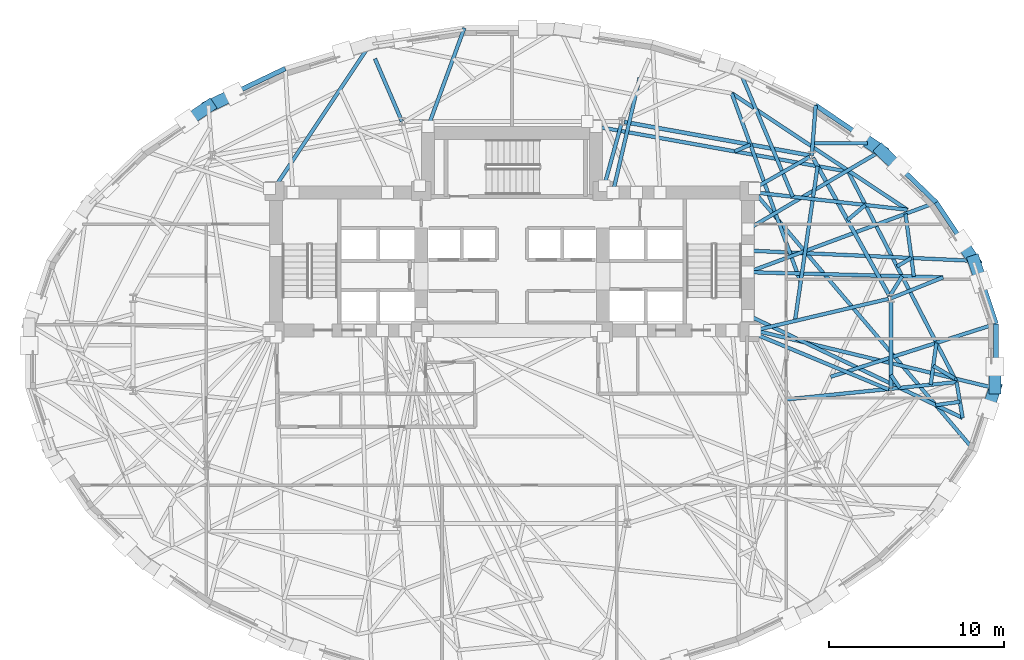
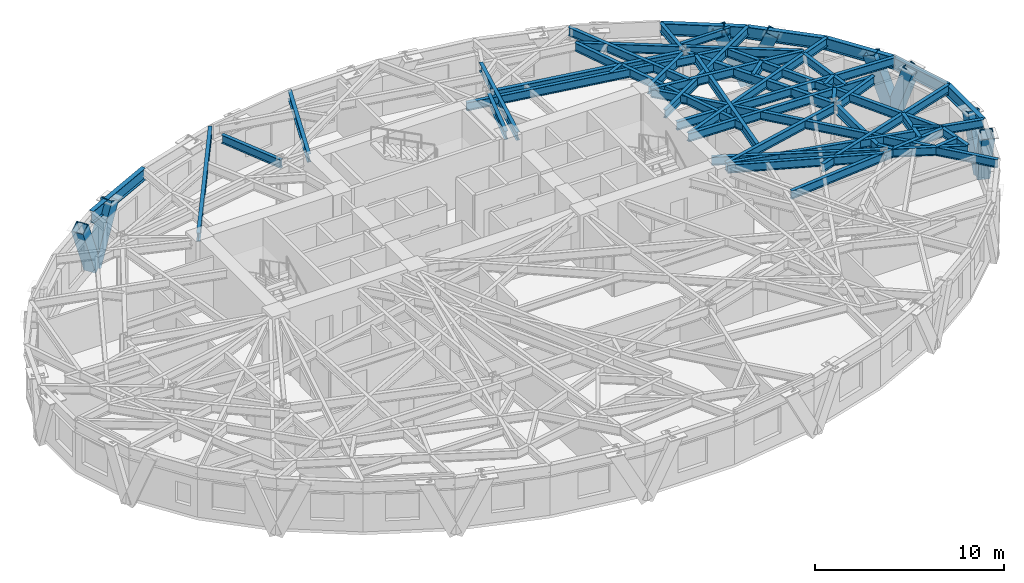
# One storey, part 4 of 14: 46 beams, 8 members.
"""IFC4 building model written with IfcOpenShell, lengths in metres."""

from ifc_helpers import new_model, si_unit, direction, frame, origin, origin_2d, place, context, subcontext, project, spatial, hollow_rectangle, i_section, extrude, material, material_profile, profile_set, type_object, element, save


model = new_model("IFC4")

# Units and contexts
model_context = context("Model", 3, precision=1e-05, world=origin(), true_north=direction((0.0, 1.0)))
body_context = subcontext(model_context, "Body", "Model", "MODEL_VIEW")
ifc_project = project(units=[si_unit("LENGTHUNIT", "METRE"), si_unit("AREAUNIT", "SQUARE_METRE"), si_unit("VOLUMEUNIT", "CUBIC_METRE"), si_unit("PLANEANGLEUNIT", "RADIAN"), si_unit("MASSUNIT", "GRAM", prefix="KILO")], contexts=[model_context])

# Site, building, storey
site_placement = place(None, origin())
site = spatial("IfcSite", under=ifc_project, at=site_placement, CompositionType="ELEMENT")
building_placement = place(site_placement, origin())
building = spatial("IfcBuilding", under=site, at=building_placement, Name="Keldmark Tower", CompositionType="ELEMENT")
storey_placement = place(building_placement, frame((0.0, 0.0, 103.60009765625)))
storey = spatial("IfcBuildingStorey", under=building, at=storey_placement, Name="L27", CompositionType="ELEMENT", Elevation=103.60009765625)

# Beam
ifc_material_1 = material(Name="Steel ASTM A992 Grade 50", Category="steel")
ifc_material_profile_1 = material_profile(ifc_material_1, i_section(OverallWidth=0.19091796875, OverallDepth=0.45703125, WebThickness=0.009033203125, FlangeThickness=0.014404296875, at=origin_2d()), Name="W18X50")
ifc_profile_set_1 = profile_set([ifc_material_profile_1], Name="Steel ASTM A992 Grade 50")
beam_type_1 = type_object("IfcBeamType", Name="Composite Floor Joist W18X50", PredefinedType="JOIST", material=ifc_profile_set_1)
beam_1_placement = place(storey_placement, frame((17.319091796875, 12.199951171875, 3.081298828125), z_axis=(1.0, 0.0, 0.0), x_axis=(0.0, 1.0, 0.0)))
element("IfcBeam", 1, at=beam_1_placement, inside=storey, type_object=beam_type_1, Name="L27 Composite Floor Joist J10", PredefinedType="JOIST", context=body_context, shape_type="SweptSolid", body=[
    extrude(i_section(OverallWidth=0.19091796875, OverallDepth=0.45703125, WebThickness=0.009033203125, FlangeThickness=0.014404296875, at=origin_2d()), origin(), (0.0, 0.0, 1.0), 3.036865234375),
])

# Members
ifc_material_2 = material(Name="Steel ASTM A572 Grade 50", Category="steel")
ifc_material_profile_2 = material_profile(ifc_material_2, hollow_rectangle(XDim=0.699951171875, YDim=0.699951171875, WallThickness=0.044921875, at=origin_2d()), Name="BOX700X700X45")
ifc_profile_set_2 = profile_set([ifc_material_profile_2], Name="Steel ASTM A572 Grade 50")
member_type = type_object("IfcMemberType", Name="Diagrid Zone 2 Brace BOX700X700X45", PredefinedType="BRACE", material=ifc_profile_set_2)
member_1_placement = place(storey_placement, frame((26.462890625, 5.4482421875, -0.27001953125), z_axis=(0.107952872963, -0.326045509503, 0.939170113958), x_axis=(0.94931811266, 0.314316911692, 0.0)))
element("IfcMember", 2, at=member_1_placement, inside=storey, type_object=member_type, Name="L27 Perimeter Diagrid Brace 01A", PredefinedType="BRACE", context=body_context, shape_type="SweptSolid", body=[
    extrude(hollow_rectangle(XDim=0.699951171875, YDim=0.699951171875, WallThickness=0.044921875, at=origin_2d()), origin(), (0.0, 0.0, 1.0), 3.68408203125),
])
member_2_placement = place(storey_placement, frame((26.46533203125, 5.436767578125, -0.27001953125), z_axis=(-0.200341239284, 0.300742136213, 0.932425629929), x_axis=(-0.832246318765, -0.554406046957, 0.0)))
element("IfcMember", 3, at=member_2_placement, inside=storey, type_object=member_type, Name="L27 Perimeter Diagrid Brace 01B", PredefinedType="BRACE", context=body_context, shape_type="SweptSolid", body=[
    extrude(hollow_rectangle(XDim=0.699951171875, YDim=0.699951171875, WallThickness=0.044921875, at=origin_2d()), origin(), (0.0, 0.0, 1.0), 3.710693359375),
])
member_3_placement = place(storey_placement, frame((21.13671875, 11.76025390625, -0.27001953125), z_axis=(0.276144933571, -0.265716991779, 0.923654944199), x_axis=(0.693370375166, 0.720581378362, 0.0)))
element("IfcMember", 4, at=member_3_placement, inside=storey, type_object=member_type, Name="L27 Perimeter Diagrid Brace 02A", PredefinedType="BRACE", context=body_context, shape_type="SweptSolid", body=[
    extrude(hollow_rectangle(XDim=0.699951171875, YDim=0.699951171875, WallThickness=0.044921875, at=origin_2d()), origin(), (0.0, 0.0, 1.0), 3.745849609375),
])
member_4_placement = place(storey_placement, frame((21.143310546875, 11.75048828125, -0.27001953125), z_axis=(-0.334798050685, 0.226898601813, 0.914563988878), x_axis=(-0.561017482362, -0.827803952928, 0.0)))
element("IfcMember", 5, at=member_4_placement, inside=storey, type_object=member_type, Name="L27 Perimeter Diagrid Brace 02B", PredefinedType="BRACE", context=body_context, shape_type="SweptSolid", body=[
    extrude(hollow_rectangle(XDim=0.699951171875, YDim=0.699951171875, WallThickness=0.044921875, at=origin_2d()), origin(), (0.0, 0.0, 1.0), 3.783203125),
])
member_5_placement = place(storey_placement, frame((-17.361572265625, 14.311279296875, -0.27001953125), z_axis=(0.38401046466, 0.183448963247, 0.904921234647), x_axis=(-0.431057279259, 0.902324565773, 0.0)))
element("IfcMember", 6, at=member_5_placement, inside=storey, type_object=member_type, Name="L27 Perimeter Diagrid Brace 06A", PredefinedType="BRACE", context=body_context, shape_type="SweptSolid", body=[
    extrude(hollow_rectangle(XDim=0.699951171875, YDim=0.699951171875, WallThickness=0.044921875, at=origin_2d()), origin(), (0.0, 0.0, 1.0), 3.823486328125),
])
member_6_placement = place(storey_placement, frame((-17.351806640625, 14.31787109375, -0.27001953125), z_axis=(-0.33479314782, -0.226959811273, 0.914550595779), x_axis=(0.56112680855, -0.827729850088, 0.0)))
element("IfcMember", 7, at=member_6_placement, inside=storey, type_object=member_type, Name="L27 Perimeter Diagrid Brace 06B", PredefinedType="BRACE", context=body_context, shape_type="SweptSolid", body=[
    extrude(hollow_rectangle(XDim=0.699951171875, YDim=0.699951171875, WallThickness=0.044921875, at=origin_2d()), origin(), (0.0, 0.0, 1.0), 3.783203125),
])
member_7_placement = place(storey_placement, frame((27.658203125, -1.8330078125, -0.27001953125), z_axis=(-0.107952872963, -0.326045509503, 0.939170113958), x_axis=(0.94931811266, -0.314316911692, 0.0)))
element("IfcMember", 8, at=member_7_placement, inside=storey, type_object=member_type, Name="L27 Perimeter Diagrid Brace 16A", PredefinedType="BRACE", context=body_context, shape_type="SweptSolid", body=[
    extrude(hollow_rectangle(XDim=0.699951171875, YDim=0.699951171875, WallThickness=0.044921875, at=origin_2d()), origin(), (0.0, 0.0, 1.0), 3.68408203125),
])
member_8_placement = place(storey_placement, frame((27.656005859375, -1.844482421875, -0.27001953125), z_axis=(0.0, 0.335839528807, 0.941919216754), x_axis=(-1.0, 0.0, 0.0)))
element("IfcMember", 9, at=member_8_placement, inside=storey, type_object=member_type, Name="L27 Perimeter Diagrid Brace 16B", PredefinedType="BRACE", context=body_context, shape_type="SweptSolid", body=[
    extrude(hollow_rectangle(XDim=0.699951171875, YDim=0.699951171875, WallThickness=0.044921875, at=origin_2d()), origin(), (0.0, 0.0, 1.0), 3.67333984375),
])

# Beams
ifc_material_3 = material(Name="Steel ASTM A992 Grade 50", Category="steel")
ifc_material_profile_3 = material_profile(ifc_material_3, i_section(OverallWidth=0.22900390625, OverallDepth=0.612060546875, WebThickness=0.011962890625, FlangeThickness=0.01953125, at=origin_2d()), Name="W24X84")
ifc_profile_set_3 = profile_set([ifc_material_profile_3], Name="Steel ASTM A992 Grade 50")
beam_type_2 = type_object("IfcBeamType", Name="Primary Floor Girder W24X84", PredefinedType="BEAM", material=ifc_profile_set_3)
beam_2_placement = place(storey_placement, frame((21.62890625, 3.432373046875, 3.00390625), z_axis=(-0.484951836703, 0.874540860154, 0.0), x_axis=(-0.874540860154, -0.484951836703, 0.0)))
element("IfcBeam", 10, at=beam_2_placement, inside=storey, type_object=beam_type_2, Name="L27 Floor Ring Girder FG-R01", PredefinedType="BEAM", context=body_context, shape_type="SweptSolid", body=[
    extrude(i_section(OverallWidth=0.22900390625, OverallDepth=0.612060546875, WebThickness=0.011962890625, FlangeThickness=0.01953125, at=origin_2d()), origin(), (0.0, 0.0, 1.0), 9.060302734375),
])
beam_3_placement = place(storey_placement, frame((17.029296875, 11.503173828125, 3.00390625), z_axis=(-0.984218266992, 0.176958760505, 0.0), x_axis=(-0.176958760505, -0.984218266992, 0.0)))
element("IfcBeam", 11, at=beam_3_placement, inside=storey, type_object=beam_type_2, Name="L27 Floor Ring Girder FG-R02", PredefinedType="BEAM", context=body_context, shape_type="SweptSolid", body=[
    extrude(i_section(OverallWidth=0.22900390625, OverallDepth=0.612060546875, WebThickness=0.011962890625, FlangeThickness=0.01953125, at=origin_2d()), origin(), (0.0, 0.0, 1.0), 10.7626953125),
])
beam_4_placement = place(storey_placement, frame((21.697021484375, -1.825927734375, 3.00390625), z_axis=(0.0, 1.0, 0.0), x_axis=(-1.0, 0.0, 0.0)))
element("IfcBeam", 12, at=beam_4_placement, inside=storey, type_object=beam_type_2, Name="L27 Floor Ring Girder FG-R12", PredefinedType="BEAM", context=body_context, shape_type="SweptSolid", body=[
    extrude(i_section(OverallWidth=0.22900390625, OverallDepth=0.612060546875, WebThickness=0.011962890625, FlangeThickness=0.01953125, at=origin_2d()), origin(), (0.0, 0.0, 1.0), 4.995849609375),
])
ifc_material_4 = material(Name="Steel ASTM A992 Grade 50", Category="steel")
ifc_material_profile_4 = material_profile(ifc_material_4, i_section(OverallWidth=0.2099609375, OverallDepth=0.537109375, WebThickness=0.010986328125, FlangeThickness=0.017333984375, at=origin_2d()), Name="W21X68")
ifc_profile_set_4 = profile_set([ifc_material_profile_4], Name="Steel ASTM A992 Grade 50")
beam_type_3 = type_object("IfcBeamType", Name="Radial Tie Girder W21X68", PredefinedType="BEAM", material=ifc_profile_set_4)
beam_5_placement = place(storey_placement, frame((21.560546875, 3.27783203125, 3.04150390625), z_axis=(-0.973283778272, -0.229605502879, 0.0), x_axis=(0.229605502879, -0.973283778272, 0.0)))
element("IfcBeam", 13, at=beam_5_placement, inside=storey, type_object=beam_type_3, Name="L27 Floor Radial Girder FG-C01", PredefinedType="BEAM", context=body_context, shape_type="SweptSolid", body=[
    extrude(i_section(OverallWidth=0.2099609375, OverallDepth=0.537109375, WebThickness=0.010986328125, FlangeThickness=0.017333984375, at=origin_2d()), origin(), (0.0, 0.0, 1.0), 7.85888671875),
])
beam_6_placement = place(storey_placement, frame((17.04541015625, 11.4091796875, 3.04150390625), z_axis=(-0.86928447329, -0.494312152892, 0.0), x_axis=(0.494312152892, -0.86928447329, 0.0)))
element("IfcBeam", 14, at=beam_6_placement, inside=storey, type_object=beam_type_3, Name="L27 Floor Radial Girder FG-C02", PredefinedType="BEAM", context=body_context, shape_type="SweptSolid", body=[
    extrude(i_section(OverallWidth=0.2099609375, OverallDepth=0.537109375, WebThickness=0.010986328125, FlangeThickness=0.017333984375, at=origin_2d()), origin(), (0.0, 0.0, 1.0), 3.6435546875),
])
beam_7_placement = place(storey_placement, frame((6.26171875, 13.297607421875, 3.04150390625), z_axis=(-0.265997186795, -0.963973804944, 0.0), x_axis=(0.963973804944, -0.265997186795, 0.0)))
element("IfcBeam", 15, at=beam_7_placement, inside=storey, type_object=beam_type_3, Name="L27 Floor Radial Girder FG-C03", PredefinedType="BEAM", context=body_context, shape_type="SweptSolid", body=[
    extrude(i_section(OverallWidth=0.2099609375, OverallDepth=0.537109375, WebThickness=0.010986328125, FlangeThickness=0.017333984375, at=origin_2d()), origin(), (0.0, 0.0, 1.0), 3.67138671875),
])
beam_8_placement = place(storey_placement, frame((21.567626953125, -1.912109375, 3.04150390625), z_axis=(-0.923397393633, 0.383845350932, 0.0), x_axis=(-0.383845350932, -0.923397393633, 0.0)))
element("IfcBeam", 16, at=beam_8_placement, inside=storey, type_object=beam_type_3, Name="L27 Floor Radial Girder FG-C12", PredefinedType="BEAM", context=body_context, shape_type="SweptSolid", body=[
    extrude(i_section(OverallWidth=0.2099609375, OverallDepth=0.537109375, WebThickness=0.010986328125, FlangeThickness=0.017333984375, at=origin_2d()), origin(), (0.0, 0.0, 1.0), 8.30859375),
])
beam_9_placement = place(storey_placement, frame((16.206298828125, 2.014892578125, 3.04150390625), z_axis=(0.144668966659, 0.989480111011, 0.0), x_axis=(-0.989480111011, 0.144668966659, 0.0)))
element("IfcBeam", 17, at=beam_9_placement, inside=storey, type_object=beam_type_3, Name="L27 Framing Pin Header PH-001", PredefinedType="BEAM", context=body_context, shape_type="SweptSolid", body=[
    extrude(i_section(OverallWidth=0.2099609375, OverallDepth=0.537109375, WebThickness=0.010986328125, FlangeThickness=0.017333984375, at=origin_2d()), origin(), (0.0, 0.0, 1.0), 8.954345703125),
])
beam_10_placement = place(storey_placement, frame((4.800048828125, 13.14990234375, 3.04150390625), z_axis=(0.984336944595, -0.176297417749, 0.0), x_axis=(0.176297417749, 0.984336944595, 0.0)))
element("IfcBeam", 18, at=beam_10_placement, inside=storey, type_object=beam_type_3, Name="L27 Sub-Ring Step Girder STP1-M01", PredefinedType="BEAM", context=body_context, shape_type="SweptSolid", body=[
    extrude(i_section(OverallWidth=0.2099609375, OverallDepth=0.537109375, WebThickness=0.010986328125, FlangeThickness=0.017333984375, at=origin_2d()), origin(), (0.0, 0.0, 1.0), 14.688720703125),
])
beam_11_placement = place(storey_placement, frame((21.697021484375, -1.076416015625, 3.04150390625), z_axis=(0.566712846815, -0.823915377484, 0.0), x_axis=(0.823915377484, 0.566712846815, 0.0)))
element("IfcBeam", 19, at=beam_11_placement, inside=storey, type_object=beam_type_3, Name="L27 Framing Pin Header PH-007", PredefinedType="BEAM", context=body_context, shape_type="SweptSolid", body=[
    extrude(i_section(OverallWidth=0.2099609375, OverallDepth=0.537109375, WebThickness=0.010986328125, FlangeThickness=0.017333984375, at=origin_2d()), origin(), (0.0, 0.0, 1.0), 0.90087890625),
])
beam_12_placement = place(storey_placement, frame((15.57958984375, -2.4951171875, 3.04150390625), z_axis=(0.994834649081, 0.101508723705, 0.0), x_axis=(-0.101508723705, 0.994834649081, 0.0)))
element("IfcBeam", 20, at=beam_12_placement, inside=storey, type_object=beam_type_3, Name="L27 Sub-Ring Step Girder STP1-M12", PredefinedType="BEAM", context=body_context, shape_type="SweptSolid", body=[
    extrude(i_section(OverallWidth=0.2099609375, OverallDepth=0.537109375, WebThickness=0.010986328125, FlangeThickness=0.017333984375, at=origin_2d()), origin(), (0.0, 0.0, 1.0), 9.93310546875),
])
beam_13_placement = place(storey_placement, frame((25.46142578125, -1.48681640625, 3.04150390625), z_axis=(-0.457755076319, 0.889078337439, 0.0), x_axis=(-0.889078337439, -0.457755076319, 0.0)))
element("IfcBeam", 21, at=beam_13_placement, inside=storey, type_object=beam_type_3, Name="L27 Perimeter Collector Ring Beam CRG1-M12", PredefinedType="BEAM", context=body_context, shape_type="SweptSolid", body=[
    extrude(i_section(OverallWidth=0.2099609375, OverallDepth=0.537109375, WebThickness=0.010986328125, FlangeThickness=0.017333984375, at=origin_2d()), origin(), (0.0, 0.0, 1.0), 13.550048828125),
])
beam_14_placement = place(storey_placement, frame((19.21240234375, 7.790283203125, 3.04150390625), z_axis=(0.76581591472, 0.643059860947, 0.0), x_axis=(-0.643059860947, 0.76581591472, 0.0)))
element("IfcBeam", 22, at=beam_14_placement, inside=storey, type_object=beam_type_3, Name="L27 Framing Pin Header PH-008", PredefinedType="BEAM", context=body_context, shape_type="SweptSolid", body=[
    extrude(i_section(OverallWidth=0.2099609375, OverallDepth=0.537109375, WebThickness=0.010986328125, FlangeThickness=0.017333984375, at=origin_2d()), origin(), (0.0, 0.0, 1.0), 1.342529296875),
])
beam_15_placement = place(storey_placement, frame((13.89990234375, 9.375, 3.04150390625), z_axis=(0.993589889236, -0.113044823008, 0.0), x_axis=(0.113044823008, 0.993589889236, 0.0)))
element("IfcBeam", 23, at=beam_15_placement, inside=storey, type_object=beam_type_3, Name="L27 Sub-Ring Step Girder STP2-M01", PredefinedType="BEAM", context=body_context, shape_type="SweptSolid", body=[
    extrude(i_section(OverallWidth=0.2099609375, OverallDepth=0.537109375, WebThickness=0.010986328125, FlangeThickness=0.017333984375, at=origin_2d()), origin(), (0.0, 0.0, 1.0), 8.79638671875),
])
beam_16_placement = place(storey_placement, frame((12.752197265625, 11.7255859375, 3.04150390625), z_axis=(0.920286144386, 0.391245974357, 0.0), x_axis=(-0.391245974357, 0.920286144386, 0.0)))
element("IfcBeam", 24, at=beam_16_placement, inside=storey, type_object=beam_type_3, Name="L27 Framing Pin Header PH-009", PredefinedType="BEAM", context=body_context, shape_type="SweptSolid", body=[
    extrude(i_section(OverallWidth=0.2099609375, OverallDepth=0.537109375, WebThickness=0.010986328125, FlangeThickness=0.017333984375, at=origin_2d()), origin(), (0.0, 0.0, 1.0), 0.9814453125),
])
beam_17_placement = place(storey_placement, frame((16.530029296875, 4.22998046875, 3.04150390625), z_axis=(-0.342719452961, 0.939437798134, 0.0), x_axis=(-0.939437798134, -0.342719452961, 0.0)))
element("IfcBeam", 25, at=beam_17_placement, inside=storey, type_object=beam_type_3, Name="L27 Sub-Ring Step Girder STP2-M02", PredefinedType="BEAM", context=body_context, shape_type="SweptSolid", body=[
    extrude(i_section(OverallWidth=0.2099609375, OverallDepth=0.537109375, WebThickness=0.010986328125, FlangeThickness=0.017333984375, at=origin_2d()), origin(), (0.0, 0.0, 1.0), 11.521728515625),
])
beam_18_placement = place(storey_placement, frame((22.639892578125, 8.380615234375, 3.04150390625), z_axis=(-0.833286637713, 0.552841188234, 0.0), x_axis=(-0.552841188234, -0.833286637713, 0.0)))
element("IfcBeam", 26, at=beam_18_placement, inside=storey, type_object=beam_type_3, Name="L27 Perimeter Collector Ring Beam CRG2-M01", PredefinedType="BEAM", context=body_context, shape_type="SweptSolid", body=[
    extrude(i_section(OverallWidth=0.2099609375, OverallDepth=0.537109375, WebThickness=0.010986328125, FlangeThickness=0.017333984375, at=origin_2d()), origin(), (0.0, 0.0, 1.0), 12.071044921875),
])
beam_19_placement = place(storey_placement, frame((23.97900390625, -1.637939453125, 3.04150390625), z_axis=(0.135198813671, 0.990818490331, 0.0), x_axis=(-0.990818490331, 0.135198813671, 0.0)))
element("IfcBeam", 27, at=beam_19_placement, inside=storey, type_object=beam_type_3, Name="L27 Framing Pin Header PH-015", PredefinedType="BEAM", context=body_context, shape_type="SweptSolid", body=[
    extrude(i_section(OverallWidth=0.2099609375, OverallDepth=0.537109375, WebThickness=0.010986328125, FlangeThickness=0.017333984375, at=origin_2d()), origin(), (0.0, 0.0, 1.0), 2.41796875),
])
beam_20_placement = place(storey_placement, frame((18.253173828125, -1.181640625, 3.04150390625), z_axis=(0.952301970489, 0.305157266015, 0.0), x_axis=(-0.305157266015, 0.952301970489, 0.0)))
element("IfcBeam", 28, at=beam_20_placement, inside=storey, type_object=beam_type_3, Name="L27 Perimeter Radial Tie Girder RT-01", PredefinedType="BEAM", context=body_context, shape_type="SweptSolid", body=[
    extrude(i_section(OverallWidth=0.2099609375, OverallDepth=0.537109375, WebThickness=0.010986328125, FlangeThickness=0.017333984375, at=origin_2d()), origin(), (0.0, 0.0, 1.0), 9.9365234375),
])
beam_21_placement = place(storey_placement, frame((21.62890625, 3.432373046875, 3.04150390625), z_axis=(0.529656264599, 0.848212379874, 0.0), x_axis=(-0.848212379874, 0.529656264599, 0.0)))
element("IfcBeam", 29, at=beam_21_placement, inside=storey, type_object=beam_type_3, Name="L27 Framing Pin Header PH-016", PredefinedType="BEAM", context=body_context, shape_type="SweptSolid", body=[
    extrude(i_section(OverallWidth=0.2099609375, OverallDepth=0.537109375, WebThickness=0.010986328125, FlangeThickness=0.017333984375, at=origin_2d()), origin(), (0.0, 0.0, 1.0), 1.344970703125),
])
beam_22_placement = place(storey_placement, frame((13.52490234375, 4.80712890625, 3.04150390625), z_axis=(0.999648483101, -0.026512454303, 0.0), x_axis=(0.026512454303, 0.999648483101, 0.0)))
element("IfcBeam", 30, at=beam_22_placement, inside=storey, type_object=beam_type_3, Name="L27 Intermediate Radial Step Girder RT-02M", PredefinedType="BEAM", context=body_context, shape_type="SweptSolid", body=[
    extrude(i_section(OverallWidth=0.2099609375, OverallDepth=0.537109375, WebThickness=0.010986328125, FlangeThickness=0.017333984375, at=origin_2d()), origin(), (0.0, 0.0, 1.0), 11.169921875),
])
beam_23_placement = place(storey_placement, frame((21.697021484375, 3.309814453125, 3.04150390625), z_axis=(0.928089948951, 0.372356075091, 0.0), x_axis=(-0.372356075091, 0.928089948951, 0.0)))
element("IfcBeam", 31, at=beam_23_placement, inside=storey, type_object=beam_type_3, Name="L27 Local Collector Chord RT-02C", PredefinedType="BEAM", context=body_context, shape_type="SweptSolid", body=[
    extrude(i_section(OverallWidth=0.2099609375, OverallDepth=0.537109375, WebThickness=0.010986328125, FlangeThickness=0.017333984375, at=origin_2d()), origin(), (0.0, 0.0, 1.0), 3.225830078125),
])
beam_24_placement = place(storey_placement, frame((23.01611328125, 4.555419921875, 3.04150390625), z_axis=(-0.132886845037, 0.991131215539, 0.0), x_axis=(-0.991131215539, -0.132886845037, 0.0)))
element("IfcBeam", 32, at=beam_24_placement, inside=storey, type_object=beam_type_3, Name="L27 Framing Pin Header PH-017", PredefinedType="BEAM", context=body_context, shape_type="SweptSolid", body=[
    extrude(i_section(OverallWidth=0.2099609375, OverallDepth=0.537109375, WebThickness=0.010986328125, FlangeThickness=0.017333984375, at=origin_2d()), origin(), (0.0, 0.0, 1.0), 3.626708984375),
])
beam_25_placement = place(storey_placement, frame((13.52490234375, 4.80712890625, 3.04150390625), z_axis=(0.93754475098, 0.347864686206, 0.0), x_axis=(-0.347864686206, 0.93754475098, 0.0)))
element("IfcBeam", 33, at=beam_25_placement, inside=storey, type_object=beam_type_3, Name="L27 Perimeter Radial Tie Girder RT-03", PredefinedType="BEAM", context=body_context, shape_type="SweptSolid", body=[
    extrude(i_section(OverallWidth=0.2099609375, OverallDepth=0.537109375, WebThickness=0.010986328125, FlangeThickness=0.017333984375, at=origin_2d()), origin(), (0.0, 0.0, 1.0), 11.4853515625),
])
beam_26_placement = place(storey_placement, frame((13.52490234375, 7.278564453125, 3.04150390625), z_axis=(0.861869987835, 0.50712929719, 0.0), x_axis=(-0.50712929719, 0.861869987835, 0.0)))
element("IfcBeam", 34, at=beam_26_placement, inside=storey, type_object=beam_type_3, Name="L27 Perimeter Radial Tie Girder RT-04", PredefinedType="BEAM", context=body_context, shape_type="SweptSolid", body=[
    extrude(i_section(OverallWidth=0.2099609375, OverallDepth=0.537109375, WebThickness=0.010986328125, FlangeThickness=0.017333984375, at=origin_2d()), origin(), (0.0, 0.0, 1.0), 8.893310546875),
])
beam_27_placement = place(storey_placement, frame((17.1669921875, 11.478271484375, 3.04150390625), z_axis=(0.077006087343, 0.997030622655, 0.0), x_axis=(-0.997030622655, 0.077006087343, 0.0)))
element("IfcBeam", 35, at=beam_27_placement, inside=storey, type_object=beam_type_3, Name="L27 Perimeter Column Bracket RT-05", PredefinedType="BEAM", context=body_context, shape_type="SweptSolid", body=[
    extrude(i_section(OverallWidth=0.2099609375, OverallDepth=0.537109375, WebThickness=0.010986328125, FlangeThickness=0.017333984375, at=origin_2d()), origin(), (0.0, 0.0, 1.0), 2.89453125),
])
beam_28_placement = place(storey_placement, frame((16.0849609375, 9.12646484375, 3.04150390625), z_axis=(-0.389007281496, 0.921234679625, 0.0), x_axis=(-0.921234679625, -0.389007281496, 0.0)))
element("IfcBeam", 36, at=beam_28_placement, inside=storey, type_object=beam_type_3, Name="L27 Perimeter Radial Tie Girder RT-06", PredefinedType="BEAM", context=body_context, shape_type="SweptSolid", body=[
    extrude(i_section(OverallWidth=0.2099609375, OverallDepth=0.537109375, WebThickness=0.010986328125, FlangeThickness=0.017333984375, at=origin_2d()), origin(), (0.0, 0.0, 1.0), 7.96923828125),
])
beam_29_placement = place(storey_placement, frame((5.778564453125, 9.375, 3.04150390625), z_axis=(0.227013356971, 0.973891644772, 0.0), x_axis=(-0.973891644772, 0.227013356971, 0.0)))
element("IfcBeam", 37, at=beam_29_placement, inside=storey, type_object=beam_type_3, Name="L27 Intermediate Radial Step Girder RT-07M", PredefinedType="BEAM", context=body_context, shape_type="SweptSolid", body=[
    extrude(i_section(OverallWidth=0.2099609375, OverallDepth=0.537109375, WebThickness=0.010986328125, FlangeThickness=0.017333984375, at=origin_2d()), origin(), (0.0, 0.0, 1.0), 6.7451171875),
])
beam_30_placement = place(storey_placement, frame((-13.52490234375, 9.75, 3.04150390625), z_axis=(0.554204321009, 0.832380664465, 0.0), x_axis=(-0.832380664465, 0.554204321009, 0.0)))
element("IfcBeam", 38, at=beam_30_placement, inside=storey, type_object=beam_type_3, Name="L27 Perimeter Radial Tie Girder RT-10", PredefinedType="BEAM", context=body_context, shape_type="SweptSolid", body=[
    extrude(i_section(OverallWidth=0.2099609375, OverallDepth=0.537109375, WebThickness=0.010986328125, FlangeThickness=0.017333984375, at=origin_2d()), origin(), (0.0, 0.0, 1.0), 9.88671875),
])
beam_31_placement = place(storey_placement, frame((13.52490234375, 2.335693359375, 3.04150390625), z_axis=(0.90204710239, -0.431637608498, 0.0), x_axis=(0.431637608498, 0.90204710239, 0.0)))
element("IfcBeam", 39, at=beam_31_placement, inside=storey, type_object=beam_type_3, Name="L27 Intermediate Radial Step Girder RT-31M", PredefinedType="BEAM", context=body_context, shape_type="SweptSolid", body=[
    extrude(i_section(OverallWidth=0.2099609375, OverallDepth=0.537109375, WebThickness=0.010986328125, FlangeThickness=0.017333984375, at=origin_2d()), origin(), (0.0, 0.0, 1.0), 13.61376953125),
])
beam_32_placement = place(storey_placement, frame((25.46142578125, -1.48681640625, 3.04150390625), z_axis=(0.165083415203, -0.98627960844, 0.0), x_axis=(0.98627960844, 0.165083415203, 0.0)))
element("IfcBeam", 40, at=beam_32_placement, inside=storey, type_object=beam_type_3, Name="L27 Local Collector Chord RT-31C", PredefinedType="BEAM", context=body_context, shape_type="SweptSolid", body=[
    extrude(i_section(OverallWidth=0.2099609375, OverallDepth=0.537109375, WebThickness=0.010986328125, FlangeThickness=0.017333984375, at=origin_2d()), origin(), (0.0, 0.0, 1.0), 2.082275390625),
])
beam_33_placement = place(storey_placement, frame((25.650390625, -2.6162109375, 3.04150390625), z_axis=(-0.99083868224, -0.135050752594, 0.0), x_axis=(0.135050752594, -0.99083868224, 0.0)))
element("IfcBeam", 41, at=beam_33_placement, inside=storey, type_object=beam_type_3, Name="L27 Framing Pin Header PH-045", PredefinedType="BEAM", context=body_context, shape_type="SweptSolid", body=[
    extrude(i_section(OverallWidth=0.2099609375, OverallDepth=0.537109375, WebThickness=0.010986328125, FlangeThickness=0.017333984375, at=origin_2d()), origin(), (0.0, 0.0, 1.0), 1.3955078125),
])
beam_34_placement = place(storey_placement, frame((13.89990234375, 9.375, 3.04150390625), z_axis=(0.64818684665, -0.761481327302, 0.0), x_axis=(0.761481327302, 0.64818684665, 0.0)))
element("IfcBeam", 42, at=beam_34_placement, inside=storey, type_object=beam_type_3, Name="L27 Perimeter Radial Tie Girder RT-31", PredefinedType="BEAM", context=body_context, shape_type="SweptSolid", body=[
    extrude(i_section(OverallWidth=0.2099609375, OverallDepth=0.537109375, WebThickness=0.010986328125, FlangeThickness=0.017333984375, at=origin_2d()), origin(), (0.0, 0.0, 1.0), 19.47412109375),
])
beam_35_placement = place(storey_placement, frame((24.126220703125, -0.559814453125, 3.04150390625), z_axis=(0.862123315509, -0.506698518702, 0.0), x_axis=(0.506698518702, 0.862123315509, 0.0)))
element("IfcBeam", 43, at=beam_35_placement, inside=storey, type_object=beam_type_3, Name="L27 Framing Pin Header PH-046", PredefinedType="BEAM", context=body_context, shape_type="SweptSolid", body=[
    extrude(i_section(OverallWidth=0.2099609375, OverallDepth=0.537109375, WebThickness=0.010986328125, FlangeThickness=0.017333984375, at=origin_2d()), origin(), (0.0, 0.0, 1.0), 1.4267578125),
])
beam_36_placement = place(storey_placement, frame((13.89990234375, 1.47509765625, 3.04150390625), z_axis=(0.972229573355, -0.234029179152, 0.0), x_axis=(0.234029179152, 0.972229573355, 0.0)))
element("IfcBeam", 44, at=beam_36_placement, inside=storey, type_object=beam_type_3, Name="L27 Perimeter Radial Tie Girder RT-32", PredefinedType="BEAM", context=body_context, shape_type="SweptSolid", body=[
    extrude(i_section(OverallWidth=0.2099609375, OverallDepth=0.537109375, WebThickness=0.010986328125, FlangeThickness=0.017333984375, at=origin_2d()), origin(), (0.0, 0.0, 1.0), 14.21044921875),
])
beam_37_placement = place(storey_placement, frame((-6.298828125, 13.4326171875, 3.04150390625), z_axis=(-0.395437186935, 0.918493021851, 0.0), x_axis=(-0.918493021851, -0.395437186935, 0.0)))
element("IfcBeam", 45, at=beam_37_placement, inside=storey, type_object=beam_type_3, Name="L27 North Column Cantilever Girder West FG-TCN-W", PredefinedType="BEAM", context=body_context, shape_type="SweptSolid", body=[
    extrude(i_section(OverallWidth=0.2099609375, OverallDepth=0.537109375, WebThickness=0.010986328125, FlangeThickness=0.017333984375, at=origin_2d()), origin(), (0.0, 0.0, 1.0), 3.919921875),
])
beam_38_placement = place(storey_placement, frame((22.0498046875, 5.13916015625, 3.04150390625), z_axis=(0.863843915315, 0.503759555714, 0.0), x_axis=(-0.503759555714, 0.863843915315, 0.0)))
element("IfcBeam", 46, at=beam_38_placement, inside=storey, type_object=beam_type_3, Name="L27 Framing Pin Header PH-047", PredefinedType="BEAM", context=body_context, shape_type="SweptSolid", body=[
    extrude(i_section(OverallWidth=0.2099609375, OverallDepth=0.537109375, WebThickness=0.010986328125, FlangeThickness=0.017333984375, at=origin_2d()), origin(), (0.0, 0.0, 1.0), 0.953369140625),
])
beam_39_placement = place(storey_placement, frame((13.52490234375, 6.04296875, 3.04150390625), z_axis=(0.998975299612, -0.045258709267, 0.0), x_axis=(0.045258709267, 0.998975299612, 0.0)))
element("IfcBeam", 47, at=beam_39_placement, inside=storey, type_object=beam_type_3, Name="L27 Perimeter Radial Tie Girder RT-02R", PredefinedType="BEAM", context=body_context, shape_type="SweptSolid", body=[
    extrude(i_section(OverallWidth=0.2099609375, OverallDepth=0.537109375, WebThickness=0.010986328125, FlangeThickness=0.017333984375, at=origin_2d()), origin(), (0.0, 0.0, 1.0), 13.01123046875),
])
beam_40_placement = place(storey_placement, frame((-4.800048828125, 13.14990234375, 3.04150390625), z_axis=(0.344678591082, 0.938720761915, 0.0), x_axis=(-0.938720761915, 0.344678591082, 0.0)))
element("IfcBeam", 48, at=beam_40_placement, inside=storey, type_object=beam_type_3, Name="L27 Perimeter Radial Tie Girder RT-09R", PredefinedType="BEAM", context=body_context, shape_type="SweptSolid", body=[
    extrude(i_section(OverallWidth=0.2099609375, OverallDepth=0.537109375, WebThickness=0.010986328125, FlangeThickness=0.017333984375, at=origin_2d()), origin(), (0.0, 0.0, 1.0), 6.006591796875),
])
ifc_material_5 = material(Name="Steel ASTM A992 Grade 50", Category="steel")
ifc_material_profile_5 = material_profile(ifc_material_5, i_section(OverallWidth=0.26806640625, OverallDepth=0.77001953125, WebThickness=0.015625, FlangeThickness=0.025390625, at=origin_2d()), Name="W30X132")
ifc_profile_set_5 = profile_set([ifc_material_profile_5], Name="Steel ASTM A992 Grade 50")
beam_type_4 = type_object("IfcBeamType", Name="Spandrel Ring Beam W30X132", PredefinedType="SPANDREL", material=ifc_profile_set_5)
beam_41_placement = place(storey_placement, frame((27.7158203125, 1.8505859375, 2.9248046875), z_axis=(-0.314316911692, 0.94931811266, 0.0), x_axis=(-0.94931811266, -0.314316911692, 0.0)))
element("IfcBeam", 49, at=beam_41_placement, inside=storey, type_object=beam_type_4, Name="L27 Perimeter Spandrel Ring Beam SRB-01", PredefinedType="SPANDREL", context=body_context, shape_type="SweptSolid", body=[
    extrude(i_section(OverallWidth=0.26806640625, OverallDepth=0.77001953125, WebThickness=0.015625, FlangeThickness=0.025390625, at=origin_2d()), origin(), (0.0, 0.0, 1.0), 3.7958984375),
])
beam_42_placement = place(storey_placement, frame((26.522705078125, 5.4541015625, 2.9248046875), z_axis=(-0.554265966169, 0.832339617432, 0.0), x_axis=(-0.832339617432, -0.554265966169, 0.0)))
element("IfcBeam", 50, at=beam_42_placement, inside=storey, type_object=beam_type_4, Name="L27 Perimeter Spandrel Ring Beam SRB-02", PredefinedType="SPANDREL", context=body_context, shape_type="SweptSolid", body=[
    extrude(i_section(OverallWidth=0.26806640625, OverallDepth=0.77001953125, WebThickness=0.015625, FlangeThickness=0.025390625, at=origin_2d()), origin(), (0.0, 0.0, 1.0), 4.02294921875),
])
beam_43_placement = place(storey_placement, frame((24.29296875, 8.802490234375, 2.9248046875), z_axis=(-0.720581378362, 0.693370375166, 0.0), x_axis=(-0.693370375166, -0.720581378362, 0.0)))
element("IfcBeam", 51, at=beam_43_placement, inside=storey, type_object=beam_type_4, Name="L27 Perimeter Spandrel Ring Beam SRB-03", PredefinedType="SPANDREL", context=body_context, shape_type="SweptSolid", body=[
    extrude(i_section(OverallWidth=0.26806640625, OverallDepth=0.77001953125, WebThickness=0.015625, FlangeThickness=0.025390625, at=origin_2d()), origin(), (0.0, 0.0, 1.0), 4.306640625),
])
beam_44_placement = place(storey_placement, frame((21.189697265625, 11.78857421875, 2.9248046875), z_axis=(-0.827754551165, 0.56109036975, 0.0), x_axis=(-0.56109036975, -0.827754551165, 0.0)))
element("IfcBeam", 52, at=beam_44_placement, inside=storey, type_object=beam_type_4, Name="L27 Perimeter Spandrel Ring Beam SRB-04", PredefinedType="SPANDREL", context=body_context, shape_type="SweptSolid", body=[
    extrude(i_section(OverallWidth=0.26806640625, OverallDepth=0.77001953125, WebThickness=0.015625, FlangeThickness=0.025390625, at=origin_2d()), origin(), (0.0, 0.0, 1.0), 4.590576171875),
])
beam_45_placement = place(storey_placement, frame((-12.98486328125, 16.468017578125, 2.9248046875), z_axis=(-0.902372757907, -0.430956385018, 0.0), x_axis=(0.430956385018, -0.902372757907, 0.0)))
element("IfcBeam", 53, at=beam_45_placement, inside=storey, type_object=beam_type_4, Name="L27 Perimeter Spandrel Ring Beam SRB-11", PredefinedType="SPANDREL", context=body_context, shape_type="SweptSolid", body=[
    extrude(i_section(OverallWidth=0.26806640625, OverallDepth=0.77001953125, WebThickness=0.015625, FlangeThickness=0.025390625, at=origin_2d()), origin(), (0.0, 0.0, 1.0), 4.881591796875),
])
beam_46_placement = place(storey_placement, frame((27.7158203125, -1.8505859375, 2.9248046875), z_axis=(0.0, 1.0, 0.0), x_axis=(-1.0, 0.0, 0.0)))
element("IfcBeam", 54, at=beam_46_placement, inside=storey, type_object=beam_type_4, Name="L27 Perimeter Spandrel Ring Beam SRB-32", PredefinedType="SPANDREL", context=body_context, shape_type="SweptSolid", body=[
    extrude(i_section(OverallWidth=0.26806640625, OverallDepth=0.77001953125, WebThickness=0.015625, FlangeThickness=0.025390625, at=origin_2d()), origin(), (0.0, 0.0, 1.0), 3.701171875),
])

save(model, "model.ifc")
